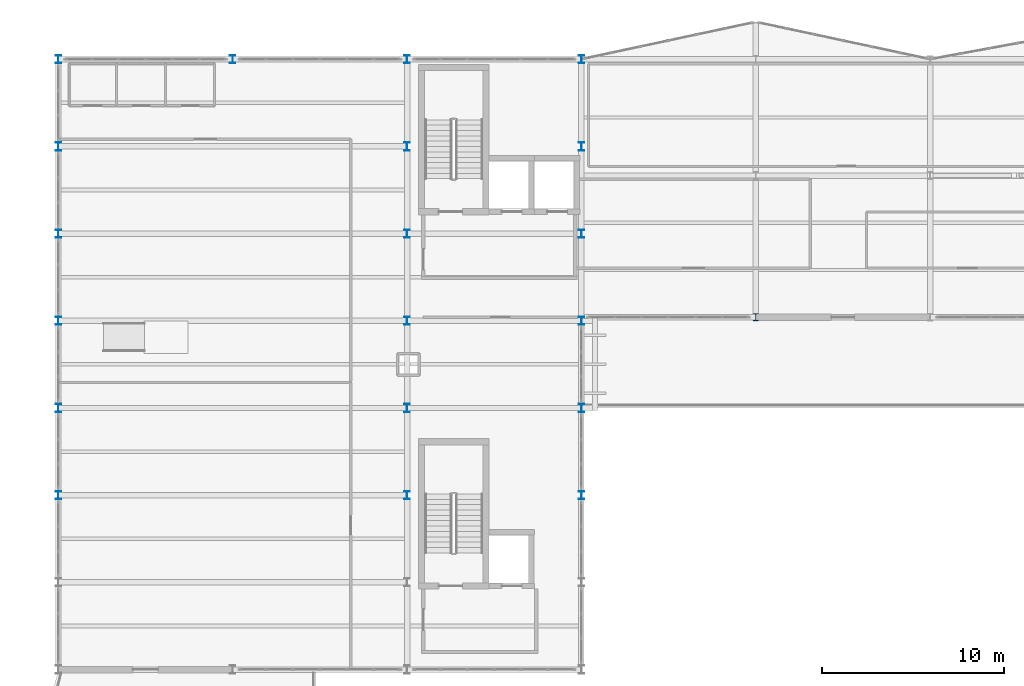
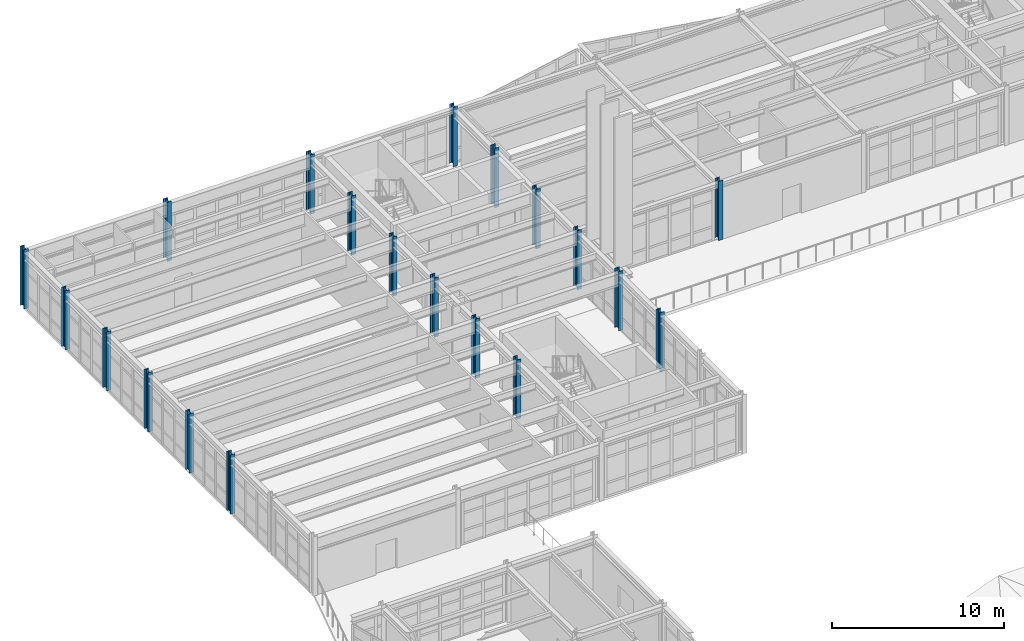
# One storey, part 4 of 47: 20 columns.
"""IFC4 building model written with IfcOpenShell, lengths in metres."""

from ifc_helpers import new_model, si_unit, direction, frame, origin, origin_2d, place, context, subcontext, project, spatial, i_section, extrude, material, material_profile, profile_set, type_object, element, save


model = new_model("IFC4")

# Units and contexts
model_context = context("Model", 3, precision=1e-05, world=origin(), true_north=direction((0.0, 1.0)))
body_context = subcontext(model_context, "Body", "Model", "MODEL_VIEW")
ifc_project = project(units=[si_unit("LENGTHUNIT", "METRE"), si_unit("AREAUNIT", "SQUARE_METRE"), si_unit("VOLUMEUNIT", "CUBIC_METRE"), si_unit("PLANEANGLEUNIT", "RADIAN"), si_unit("MASSUNIT", "GRAM", prefix="KILO")], contexts=[model_context])

# Site, building, storey
site_placement = place(None, origin())
site = spatial("IfcSite", under=ifc_project, at=site_placement, CompositionType="ELEMENT")
building_placement = place(site_placement, origin())
building = spatial("IfcBuilding", under=site, at=building_placement, Name="Nordkorset Police Headquarters", CompositionType="ELEMENT")
storey_placement = place(building_placement, frame((0.0, 0.0, 22.050048828125)))
storey = spatial("IfcBuildingStorey", under=building, at=storey_placement, Name="L05", CompositionType="ELEMENT", Elevation=22.050048828125)

# Columns
ifc_material_1 = material(Name="Steel S355J2", Category="steel")
ifc_material_profile_1 = material_profile(ifc_material_1, i_section(OverallWidth=0.300048828125, OverallDepth=0.39990234375, WebThickness=0.013427734375, FlangeThickness=0.02392578125, FilletRadius=0.027099609375, at=origin_2d()), Name="HEB 400")
ifc_profile_set_1 = profile_set([ifc_material_profile_1], Name="Steel S355J2")
column_type_1 = type_object("IfcColumnType", Name="Col_HEB_400", PredefinedType="COLUMN", material=ifc_profile_set_1)
column_placement = place(storey_placement, frame((38.39990234375, 102.60009765625, 0.0), z_axis=(0.0, 0.0, 1.0), x_axis=(1.0, 0.0, 0.0)))
element("IfcColumn", 1, at=column_placement, inside=storey, type_object=column_type_1, Name="Structural Column V2_Y1_0 L05", PredefinedType="COLUMN", context=body_context, shape_type="SweptSolid", body=[
    extrude(i_section(OverallWidth=0.300048828125, OverallDepth=0.39990234375, WebThickness=0.013427734375, FlangeThickness=0.02392578125, FilletRadius=0.027099609375, at=origin_2d()), origin(), (0.0, 0.0, 1.0), 4.199951171875),
])
ifc_material_2 = material(Name="Steel S355J2", Category="steel")
ifc_material_profile_2 = material_profile(ifc_material_2, i_section(OverallWidth=0.300048828125, OverallDepth=0.449951171875, WebThickness=0.013916015625, FlangeThickness=0.02587890625, FilletRadius=0.027099609375, at=origin_2d()), Name="HEB 450")
ifc_profile_set_2 = profile_set([ifc_material_profile_2], Name="Steel S355J2")
column_type_2 = type_object("IfcColumnType", Name="Col_HEB_450", PredefinedType="COLUMN", material=ifc_profile_set_2)
for number, where, z_axis, x_axis, name in (
    (2, (0.0, 92.800048828125, 0.0), (0.0, 0.0, 1.0), (1.0, 0.0, 0.0), "Structural Column V1_W_2 L05"),
    (3, (28.800048828125, 92.800048828125, 0.0), (0.0, 0.0, 1.0), (1.0, 0.0, 0.0), "Structural Column V1_E_2 L05"),
    (4, (0.0, 97.60009765625, 0.0), (0.0, 0.0, 1.0), (1.0, 0.0, 0.0), "Structural Column V1_W_3 L05"),
    (5, (28.800048828125, 97.60009765625, 0.0), (0.0, 0.0, 1.0), (1.0, 0.0, 0.0), "Structural Column V1_E_3 L05"),
    (6, (0.0, 102.39990234375, 0.0), (0.0, 0.0, 1.0), (1.0, 0.0, 0.0), "Structural Column V1_W_4 L05"),
    (7, (28.800048828125, 102.39990234375, 0.0), (0.0, 0.0, 1.0), (1.0, 0.0, 0.0), "Structural Column V1_E_4 L05"),
    (8, (0.0, 107.199951171875, 0.0), (0.0, 0.0, 1.0), (1.0, 0.0, 0.0), "Structural Column V1_W_5 L05"),
    (9, (28.800048828125, 107.199951171875, 0.0), (0.0, 0.0, 1.0), (1.0, 0.0, 0.0), "Structural Column V1_E_5 L05"),
    (10, (0.0, 112.0, 0.0), (0.0, 0.0, 1.0), (1.0, 0.0, 0.0), "Structural Column V1_W_6 L05"),
    (11, (28.800048828125, 112.0, 0.0), (0.0, 0.0, 1.0), (1.0, 0.0, 0.0), "Structural Column V1_E_6 L05"),
    (12, (0.0, 116.800048828125, 0.0), (0.0, 0.0, 1.0), (1.0, 0.0, 0.0), "Structural Column V1_W_7 L05"),
    (13, (28.800048828125, 116.800048828125, 0.0), (0.0, 0.0, 1.0), (1.0, 0.0, 0.0), "Structural Column V1_E_7 L05"),
    (14, (9.60009765625, 116.800048828125, 0.0), (0.0, 0.0, 1.0), (1.0, 0.0, 0.0), "Structural Column V1_N_0 L05"),
    (15, (19.199951171875, 116.800048828125, 0.0), (0.0, 0.0, 1.0), (1.0, 0.0, 0.0), "Structural Column V1_N_1 L05"),
    (16, (19.199951171875, 92.800048828125, 0.0), (0.0, 0.0, 1.0), (1.0, 0.0, 0.0), "Structural Column V1_CW_1 L05"),
    (17, (19.199951171875, 97.60009765625, 0.0), (0.0, 0.0, 1.0), (1.0, 0.0, 0.0), "Structural Column V1_CW_2 L05"),
    (18, (19.199951171875, 102.39990234375, 0.0), (0.0, 0.0, 1.0), (1.0, 0.0, 0.0), "Structural Column V1_CW_3 L05"),
    (19, (19.199951171875, 107.199951171875, 0.0), (0.0, 0.0, 1.0), (1.0, 0.0, 0.0), "Structural Column V1_CW_4 L05"),
    (20, (19.199951171875, 112.0, 0.0), (0.0, 0.0, 1.0), (1.0, 0.0, 0.0), "Structural Column V1_CW_5 L05"),
):
    element("IfcColumn", number, at=place(storey_placement, frame(where, z_axis=z_axis, x_axis=x_axis)), inside=storey, type_object=column_type_2, Name=name, PredefinedType="COLUMN", context=body_context, shape_type="SweptSolid", body=[
        extrude(i_section(OverallWidth=0.300048828125, OverallDepth=0.449951171875, WebThickness=0.013916015625, FlangeThickness=0.02587890625, FilletRadius=0.027099609375, at=origin_2d()), origin(), (0.0, 0.0, 1.0), 4.199951171875),
    ])

save(model, "model.ifc")
